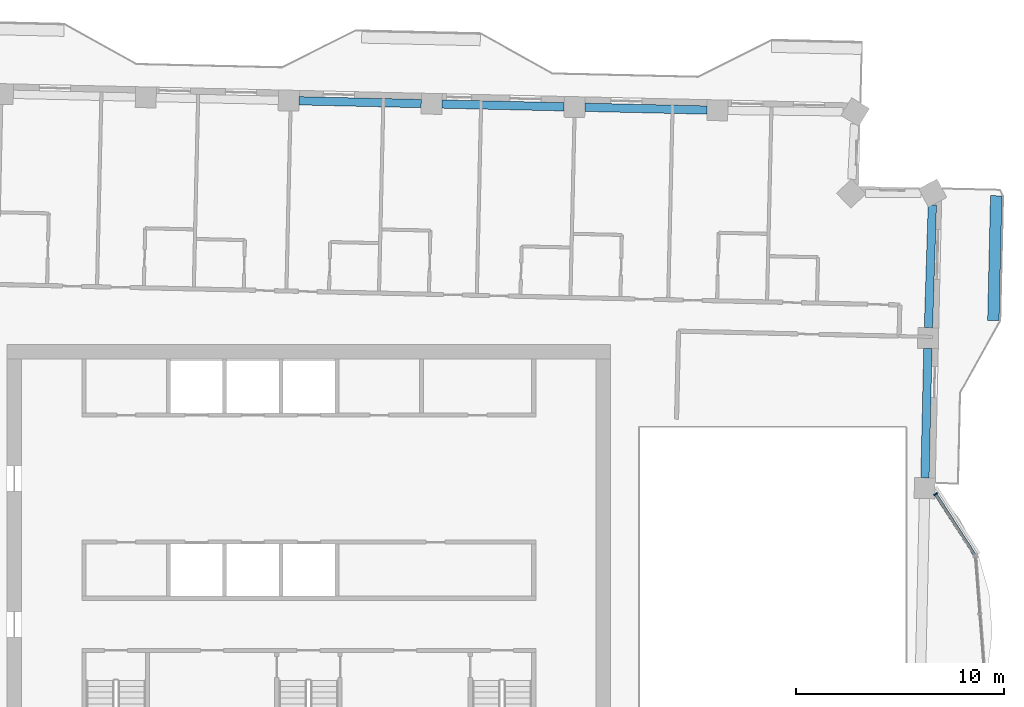
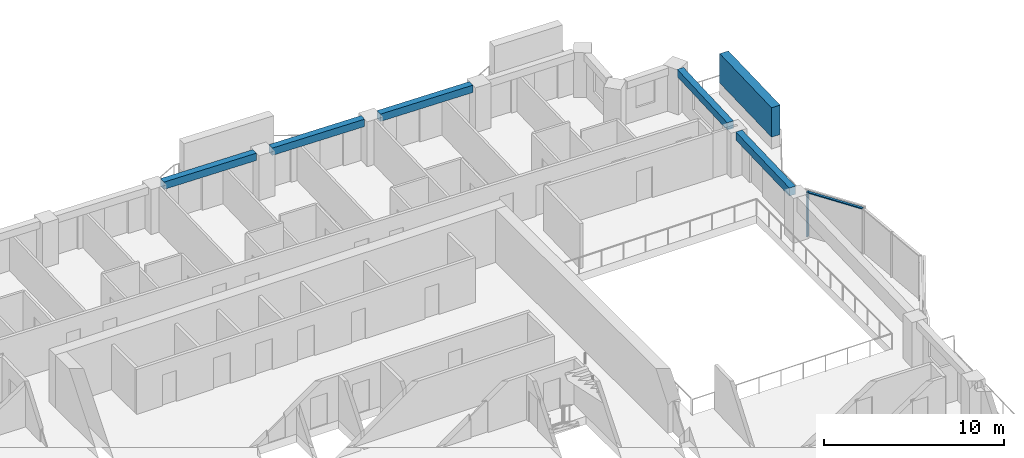
# One storey, part 4 of 17: 5 beams, 3 members, 1 element without a shape of its own.
"""IFC4 building model written with IfcOpenShell, lengths in metres."""

from ifc_helpers import new_model, si_unit, direction, frame, origin, origin_2d, place, context, subcontext, project, spatial, rectangle, extrude, material, material_profile, profile_set, type_object, element, aggregate, save


model = new_model("IFC4")

# Units and contexts
model_context = context("Model", 3, precision=1e-05, world=origin(), true_north=direction((0.0, 1.0)))
body_context = subcontext(model_context, "Body", "Model", "MODEL_VIEW")
ifc_project = project(units=[si_unit("LENGTHUNIT", "METRE"), si_unit("AREAUNIT", "SQUARE_METRE"), si_unit("VOLUMEUNIT", "CUBIC_METRE"), si_unit("PLANEANGLEUNIT", "RADIAN"), si_unit("MASSUNIT", "GRAM", prefix="KILO")], contexts=[model_context])

# Site, building, storey
site_placement = place(None, origin())
site = spatial("IfcSite", under=ifc_project, at=site_placement, CompositionType="ELEMENT")
building_placement = place(site_placement, origin())
building = spatial("IfcBuilding", under=site, at=building_placement, Name="Mangrove Gate Tower", CompositionType="ELEMENT")
storey_placement = place(building_placement, frame((0.0, 0.0, 264.5)))
storey = spatial("IfcBuildingStorey", under=building, at=storey_placement, Name="L67", CompositionType="ELEMENT", Elevation=264.5)

# Curtain wall, members
ifc_material_1 = material(Name="Aluminium and glass curtain wall", Category="aluminium")
curtain_wall_type = type_object("IfcCurtainWallType", Name="Atrium garden-court glazing wall", PredefinedType="NOTDEFINED", material=ifc_material_1)
curtain_wall_placement = place(storey_placement, origin())
curtain_wall = element("IfcCurtainWall", 1, at=curtain_wall_placement, inside=storey, type_object=curtain_wall_type, Name="Atrium garden-court glazing E1f3", PredefinedType="NOTDEFINED")
ifc_material_2 = material(Name="Aluminium alloy 6063-T6", Category="aluminium")
ifc_material_profile_1 = material_profile(ifc_material_2, rectangle(XDim=0.070068359375, YDim=0.199951171875, at=origin_2d()))
ifc_profile_set_1 = profile_set([ifc_material_profile_1], Name="Aluminium alloy 6063-T6")
member_type_1 = type_object("IfcMemberType", Name="Atrium garden-court glazing mullion 70x200", PredefinedType="MULLION", material=ifc_profile_set_1)
member_1_placement = place(storey_placement, frame((30.1083984375, 4.305419921875, 0.0), z_axis=(0.0, 0.0, 1.0), x_axis=(-0.540498107045, 0.841345230141, 0.0)))
member_1 = element("IfcMember", 2, at=member_1_placement, type_object=member_type_1, Name="CWA mullion 2", PredefinedType="MULLION", context=body_context, shape_type="SweptSolid", body=[
    extrude(rectangle(XDim=0.070068359375, YDim=0.199951171875, at=origin_2d()), origin(), (0.0, 0.0, 1.0), 3.050048828125),
])
ifc_material_3 = material(Name="Aluminium alloy 6063-T6", Category="aluminium")
ifc_material_profile_2 = material_profile(ifc_material_3, rectangle(XDim=0.070068359375, YDim=0.14990234375, at=origin_2d()))
ifc_profile_set_2 = profile_set([ifc_material_profile_2], Name="Aluminium alloy 6063-T6")
member_type_2 = type_object("IfcMemberType", Name="Atrium garden-court glazing transom 70x150", PredefinedType="USERDEFINED", material=ifc_profile_set_2)
member_2_placement = place(storey_placement, frame((31.980224609375, 1.391845703125, 3.014892578125), z_axis=(-0.540520015827, 0.84133115507, 0.0), x_axis=(0.0, 0.0, 1.0)))
member_2 = element("IfcMember", 3, at=member_2_placement, type_object=member_type_2, Name="CWA transom 1.2", ObjectType="TRANSOM", PredefinedType="USERDEFINED", context=body_context, shape_type="SweptSolid", body=[
    extrude(rectangle(XDim=0.070068359375, YDim=0.14990234375, at=origin_2d()), origin(), (0.0, 0.0, 1.0), 3.42822265625),
])
aggregate(curtain_wall, [member_1, member_2])

# Member
ifc_material_4 = material(Name="Planting on aluminium trellis", Category="aluminium")
ifc_material_profile_3 = material_profile(ifc_material_4, rectangle(XDim=0.550048828125, YDim=2.0, at=origin_2d()))
ifc_profile_set_3 = profile_set([ifc_material_profile_3], Name="Planting on aluminium trellis")
member_type_3 = type_object("IfcMemberType", Name="Balcony greenery screen 550x2000", PredefinedType="USERDEFINED", material=ifc_profile_set_3)
member_3_placement = place(storey_placement, frame((32.883056640625, 12.64404296875, 1.800048828125), z_axis=(0.022665943652, 0.999743094499, 0.0), x_axis=(-0.999743094499, 0.022665943652, 0.0)))
element("IfcMember", 4, at=member_3_placement, inside=storey, type_object=member_type_3, Name="GREEN SCREEN L67 E1.1", ObjectType="PLANTING", PredefinedType="USERDEFINED", context=body_context, shape_type="SweptSolid", body=[
    extrude(rectangle(XDim=0.550048828125, YDim=2.0, at=origin_2d()), origin(), (0.0, 0.0, 1.0), 5.99951171875),
])

# Beams
ifc_material_5 = material(Name="Concrete C50/60", Category="concrete")
ifc_material_profile_4 = material_profile(ifc_material_5, rectangle(XDim=0.39990234375, YDim=0.5, at=origin_2d()))
ifc_profile_set_4 = profile_set([ifc_material_profile_4], Name="Concrete C50/60")
beam_type_1 = type_object("IfcBeamType", Name="Edge beam RC 400x500 C50/60", PredefinedType="BEAM", material=ifc_profile_set_4)
beam_1_placement = place(storey_placement, frame((29.763916015625, 12.302001953125, 2.800048828125), z_axis=(0.031759593867, 0.999495536857, 0.0), x_axis=(-0.999495536857, 0.031759593867, 0.0)))
element("IfcBeam", 5, at=beam_1_placement, inside=storey, type_object=beam_type_1, Name="Edge beam L67 17", PredefinedType="BEAM", context=body_context, shape_type="SweptSolid", body=[
    extrude(rectangle(XDim=0.39990234375, YDim=0.5, at=origin_2d()), origin(), (0.0, 0.0, 1.0), 5.89599609375),
])
beam_2_placement = place(storey_placement, frame((19.126708984375, 22.758544921875, 2.800048828125), z_axis=(-0.999741921459, 0.022717624818, 0.0), x_axis=(-0.022717624818, -0.999741921459, 0.0)))
element("IfcBeam", 6, at=beam_2_placement, inside=storey, type_object=beam_type_1, Name="Edge beam L67 21", PredefinedType="BEAM", context=body_context, shape_type="SweptSolid", body=[
    extrude(rectangle(XDim=0.39990234375, YDim=0.5, at=origin_2d()), origin(), (0.0, 0.0, 1.0), 5.86767578125),
])
beam_3_placement = place(storey_placement, frame((12.2607421875, 22.91455078125, 2.800048828125), z_axis=(-0.999741835545, 0.022721405353, 0.0), x_axis=(-0.022721405353, -0.999741835545, 0.0)))
element("IfcBeam", 7, at=beam_3_placement, inside=storey, type_object=beam_type_1, Name="Edge beam L67 22", PredefinedType="BEAM", context=body_context, shape_type="SweptSolid", body=[
    extrude(rectangle(XDim=0.39990234375, YDim=0.5, at=origin_2d()), origin(), (0.0, 0.0, 1.0), 5.86669921875),
])
beam_4_placement = place(storey_placement, frame((5.395751953125, 23.070556640625, 2.800048828125), z_axis=(-0.999741921459, 0.022717624818, 0.0), x_axis=(-0.022717624818, -0.999741921459, 0.0)))
element("IfcBeam", 8, at=beam_4_placement, inside=storey, type_object=beam_type_1, Name="Edge beam L67 23", PredefinedType="BEAM", context=body_context, shape_type="SweptSolid", body=[
    extrude(rectangle(XDim=0.39990234375, YDim=0.5, at=origin_2d()), origin(), (0.0, 0.0, 1.0), 5.86767578125),
])
ifc_material_6 = material(Name="Concrete C50/60", Category="concrete")
ifc_material_profile_5 = material_profile(ifc_material_6, rectangle(XDim=0.39990234375, YDim=0.550048828125, at=origin_2d()))
ifc_profile_set_5 = profile_set([ifc_material_profile_5], Name="Concrete C50/60")
beam_type_2 = type_object("IfcBeamType", Name="Edge beam RC 400x550 C50/60", PredefinedType="BEAM", material=ifc_profile_set_5)
beam_5_placement = place(storey_placement, frame((29.596435546875, 5.09228515625, 2.77490234375), z_axis=(0.022599093821, 0.999744607867, 0.0), x_axis=(-0.999744607867, 0.022599093821, 0.0)))
element("IfcBeam", 9, at=beam_5_placement, inside=storey, type_object=beam_type_2, Name="Edge beam L67 16", PredefinedType="BEAM", context=body_context, shape_type="SweptSolid", body=[
    extrude(rectangle(XDim=0.39990234375, YDim=0.550048828125, at=origin_2d()), origin(), (0.0, 0.0, 1.0), 6.211669921875),
])

save(model, "model.ifc")
